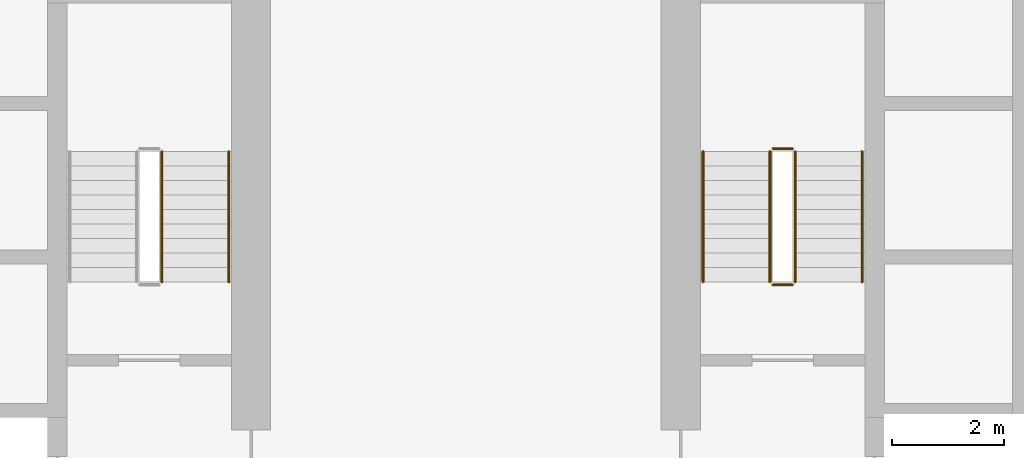
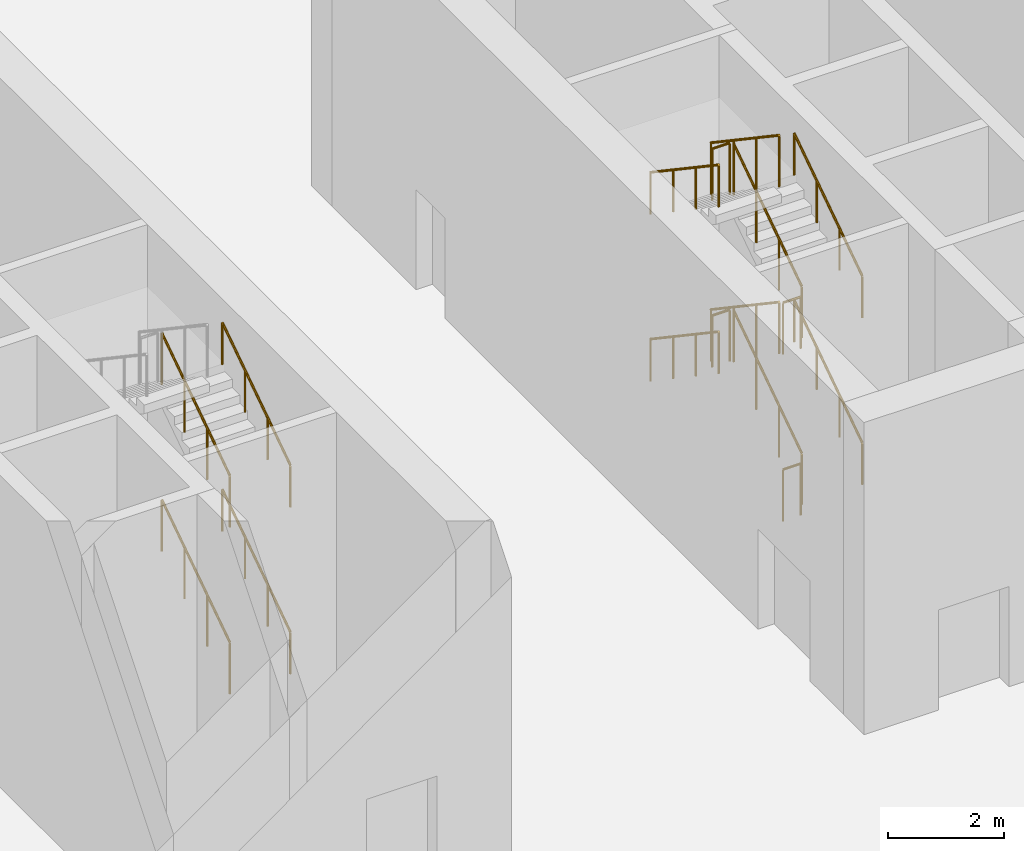
# One storey, part 20 of 30: 16 railings.
"""IFC4 building model written with IfcOpenShell, lengths in metres."""

import ifcopenshell
import ifcopenshell.guid

model = None  # the IFC model being written
_history = None  # IfcOwnerHistory: only IFC2X3 demands one
_inside = {}  # id of a spatial element -> (the spatial element, [elements in it])
_under = {}  # id of a project, library or spatial element -> (it, [spatial elements below it])
_declared = {}  # id of a project -> (the project, [libraries it declares])
_typed = {}  # id of a type object -> (the type object, [elements of that type])
_made_of = {}  # id of a material, layer set ... -> (it, [elements and type objects made of it])


def new_model(schema):
    """Start an empty IFC model of exactly this schema.

    Asked for "IFC4X3", IfcOpenShell would pick the latest addendum, in which some entities
    have other attributes; the version numbers below select the first issue.
    IFC2X3 requires an IfcOwnerHistory on every rooted entity: one is made here for all.
    """
    global model, _history
    if schema == "IFC4X3":
        model = ifcopenshell.file(schema_version=(4, 3, 0, 0))
    else:
        model = ifcopenshell.file(schema=schema)
    _inside.clear()
    _under.clear()
    _declared.clear()
    _typed.clear()
    _made_of.clear()
    _history = None
    if model.schema == "IFC2X3":
        org = make("IfcOrganization", Name="unknown")
        user = make(
            "IfcPersonAndOrganization",
            ThePerson=make("IfcPerson", FamilyName="unknown"),
            TheOrganization=org,
        )
        app = make(
            "IfcApplication",
            ApplicationDeveloper=org,
            Version="unknown",
            ApplicationFullName="unknown",
            ApplicationIdentifier="unknown",
        )
        _history = make(
            "IfcOwnerHistory",
            OwningUser=user,
            OwningApplication=app,
            ChangeAction="ADDED",
            CreationDate=0,
        )
    return model


def make(cls, **values):
    """One entity of the class cls with the attributes given. An attribute that is None is left unset."""
    return model.create_entity(
        cls, **{name: value for name, value in values.items() if value is not None}
    )


def rooted(cls, **values):
    """An entity with a GlobalId (a new one), such as an element, a storey or a relation."""
    return make(cls, GlobalId=ifcopenshell.guid.new(), OwnerHistory=_history, **values)


def si_unit(unit_type, name, prefix=None):
    """IfcSIUnit, for example si_unit("LENGTHUNIT", "METRE", prefix="MILLI")."""
    return make("IfcSIUnit", UnitType=unit_type, Prefix=prefix, Name=name)


def assignment(units):
    """IfcUnitAssignment: the units of a project."""
    return None if units is None else make("IfcUnitAssignment", Units=units)


def point(xyz):
    """IfcCartesianPoint."""
    return None if xyz is None else make("IfcCartesianPoint", Coordinates=xyz)


def direction(xyz):
    """IfcDirection."""
    return None if xyz is None else make("IfcDirection", DirectionRatios=xyz)


def frame(location, z_axis=None, x_axis=None):
    """IfcAxis2Placement3D, a coordinate frame: its origin and axes. An axis left out is left unset."""
    return make(
        "IfcAxis2Placement3D",
        Location=point(location),
        Axis=direction(z_axis),
        RefDirection=direction(x_axis),
    )


def frame_2d(location, x_axis=None):
    """IfcAxis2Placement2D, a coordinate frame in the plane: its origin and x axis."""
    return make(
        "IfcAxis2Placement2D", Location=point(location), RefDirection=direction(x_axis)
    )


def origin():
    """The frame at (0, 0, 0) with its axes left unset."""
    return frame((0.0, 0.0, 0.0))


def origin_2d():
    """The frame at (0, 0) in the plane with its x axis left unset."""
    return frame_2d((0.0, 0.0))


def place(relative_to, where):
    """IfcLocalPlacement: puts the frame where relative to a parent placement (None: the world)."""
    return make(
        "IfcLocalPlacement", PlacementRelTo=relative_to, RelativePlacement=where
    )


def context(
    kind, dimensions, precision=None, world=None, true_north=None, identifier=None
):
    """IfcGeometricRepresentationContext, for example the 3D "Model" context."""
    return make(
        "IfcGeometricRepresentationContext",
        ContextIdentifier=identifier,
        ContextType=kind,
        CoordinateSpaceDimension=dimensions,
        Precision=precision,
        WorldCoordinateSystem=world,
        TrueNorth=true_north,
    )


def subcontext(parent, identifier, kind, view, scale=None):
    """IfcGeometricRepresentationSubContext, for example "Body" below "Model"."""
    return make(
        "IfcGeometricRepresentationSubContext",
        ContextIdentifier=identifier,
        ContextType=kind,
        ParentContext=parent,
        TargetScale=scale,
        TargetView=view,
    )


def project(units=None, contexts=None):
    """IfcProject with its units and contexts."""
    return rooted(
        "IfcProject",
        Name="project",
        RepresentationContexts=contexts,
        UnitsInContext=assignment(units),
    )


def spatial(cls, under=None, at=None, **own):
    """A site, building, storey or space (cls), placed at a placement, below another one or the project."""
    s = rooted(cls, ObjectPlacement=at, **own)
    if under is not None:
        _under.setdefault(under.id(), (under, []))[1].append(s)
    return s


def profile(cls, at=None, kind="AREA", **sizes):
    """A parametric profile (cls). Its sizes go by their IFC names, for example OverallWidth=200.0."""
    return make(cls, ProfileType=kind, Position=at, **sizes)


def circle(**sizes):
    """IfcCircleProfileDef."""
    return profile("IfcCircleProfileDef", **sizes)


def extrude(swept, where, along, depth):
    """IfcExtrudedAreaSolid: the profile swept, set in the frame where, extruded along a direction by depth."""
    return make(
        "IfcExtrudedAreaSolid",
        SweptArea=swept,
        Position=where,
        ExtrudedDirection=direction(along),
        Depth=depth,
    )


def shape(context_of_items, identifier, shape_type, items):
    """IfcShapeRepresentation: the items that make up one representation, for example the "Body"."""
    return make(
        "IfcShapeRepresentation",
        ContextOfItems=context_of_items,
        RepresentationIdentifier=identifier,
        RepresentationType=shape_type,
        Items=items,
    )


def material(Name=None, Category=None):
    """IfcMaterial."""
    return make("IfcMaterial", Name=Name, Category=Category)


def made_of(thing, what):
    """Note that an element or type object is made of a material, layer set ...; save() writes the relation."""
    if what is not None:
        _made_of.setdefault(what.id(), (what, []))[1].append(thing)
    return thing


def type_object(cls, material=None, **own):
    """A type object (cls), such as IfcWallType, which elements share."""
    return made_of(rooted(cls, **own), material)


def element(
    cls,
    number,
    at=None,
    inside=None,
    cuts=None,
    type_object=None,
    material=None,
    context=None,
    identifier="Body",
    shape_type=None,
    held_by="IfcProductDefinitionShape",
    body=None,
    shapes=None,
    **own,
):
    """One element of the class cls, such as IfcWall. Its Tag is "e" and its number.

    at: its placement. inside: the storey or other place that contains it. cuts: it is an
    opening in that element (IfcRelVoidsElement). A single representation is given by context,
    identifier, shape_type and body (its items); several are given by shapes. held_by: the class
    of the entity that holds the representations. save() writes the other relations.
    """
    e = rooted(cls, Tag="e%d" % number, ObjectPlacement=at, **own)
    if body is not None:
        shapes = [shape(context, identifier, shape_type, body)]
    if shapes is not None:
        e.Representation = make(held_by, Representations=shapes)
    if inside is not None:
        _inside.setdefault(inside.id(), (inside, []))[1].append(e)
    if cuts is not None:
        rooted(
            "IfcRelVoidsElement", RelatingBuildingElement=cuts, RelatedOpeningElement=e
        )
    if type_object is not None:
        _typed.setdefault(type_object.id(), (type_object, []))[1].append(e)
    return made_of(e, material)


def aggregate(whole, parts):
    """IfcRelAggregates: a whole, such as a stair, and the parts it consists of."""
    return rooted("IfcRelAggregates", RelatingObject=whole, RelatedObjects=parts)


def save(model, path):
    """Write the relations noted so far, then the file.

    IfcRelAggregates (storeys below a building ...), IfcRelContainedInSpatialStructure (elements
    in a storey), IfcRelDefinesByType, IfcRelAssociatesMaterial and IfcRelDeclares: one each for
    every whole, place, type object, material and project.
    """
    for whole, parts in _under.values():
        aggregate(whole, parts)
    for where, things in _inside.values():
        rooted(
            "IfcRelContainedInSpatialStructure",
            RelatedElements=things,
            RelatingStructure=where,
        )
    for kind, things in _typed.values():
        rooted("IfcRelDefinesByType", RelatedObjects=things, RelatingType=kind)
    for what, things in _made_of.values():
        rooted("IfcRelAssociatesMaterial", RelatedObjects=things, RelatingMaterial=what)
    for by, libraries in _declared.values():
        rooted("IfcRelDeclares", RelatingContext=by, RelatedDefinitions=libraries)
    model.write(path)


model = new_model("IFC4")

# Units and contexts
model_context = context("Model", 3, precision=1e-05, world=origin(), true_north=direction((0.0, 1.0)))
body_context = subcontext(model_context, "Body", "Model", "MODEL_VIEW")
ifc_project = project(units=[si_unit("LENGTHUNIT", "METRE"), si_unit("AREAUNIT", "SQUARE_METRE"), si_unit("VOLUMEUNIT", "CUBIC_METRE"), si_unit("PLANEANGLEUNIT", "RADIAN"), si_unit("MASSUNIT", "GRAM", prefix="KILO")], contexts=[model_context])

# Site, building, storey
site_placement = place(None, origin())
site = spatial("IfcSite", under=ifc_project, at=site_placement, CompositionType="ELEMENT")
building_placement = place(site_placement, origin())
building = spatial("IfcBuilding", under=site, at=building_placement, Name="Tamarind Cross Interchange Tower", CompositionType="ELEMENT")
storey_placement = place(building_placement, frame((0.0, 0.0, -14.0)))
storey = spatial("IfcBuildingStorey", under=building, at=storey_placement, Name="B2", CompositionType="ELEMENT", Elevation=-14.0)

# Railings
ifc_material_1 = material(Name="Stair guard")
railing_type_1 = type_object("IfcRailingType", Name="Stair guard", PredefinedType="GUARDRAIL", material=ifc_material_1)
for number, where, name in (
    (1, (-5.449951171875, -3.199951171875, 0.175048828125), "B2 ST1 stair guard 1"),
    (2, (-5.449951171875, -3.199951171875, 3.675048828125), "B2 ST1 stair guard 5"),
    (3, (5.89990234375, -3.199951171875, 0.175048828125), "B2 ST2 stair guard 1"),
):
    element("IfcRailing", number, at=place(storey_placement, frame(where)), inside=storey, type_object=railing_type_1, Name=name, PredefinedType="GUARDRAIL", context=body_context, shape_type="SweptSolid", body=[
        extrude(circle(Radius=0.02392578125, at=origin_2d()), frame((0.0, 0.0, 1.076171875), z_axis=(0.0, 0.829578494604, 0.558390115681), x_axis=(-1.0, 0.0, 0.0)), (0.0, 0.0, 1.0), 2.820556640625),
        extrude(circle(Radius=0.02099609375, at=origin_2d()), origin(), (0.0, 0.0, 1.0), 1.052001953125),
        extrude(circle(Radius=0.02099609375, at=origin_2d()), frame((0.0, 0.780029296875, 0.52490234375)), (0.0, 0.0, 1.0), 1.052001953125),
        extrude(circle(Radius=0.02099609375, at=origin_2d()), frame((0.0, 1.559814453125, 1.050048828125)), (0.0, 0.0, 1.0), 1.052001953125),
        extrude(circle(Radius=0.02099609375, at=origin_2d()), frame((0.0, 2.33984375, 1.574951171875)), (0.0, 0.0, 1.0), 1.052001953125),
    ])
railing_1_placement = place(storey_placement, frame((5.85009765625, -0.81005859375, 1.75)))
element("IfcRailing", 4, at=railing_1_placement, inside=storey, type_object=railing_type_1, Name="B2 ST2 stair guard 2", PredefinedType="GUARDRAIL", context=body_context, shape_type="SweptSolid", body=[
    extrude(circle(Radius=0.02392578125, at=origin_2d()), frame((0.0, 0.0, 1.076171875), z_axis=(-1.0, 0.0, 0.0), x_axis=(0.0, -1.0, 0.0)), (0.0, 0.0, 1.0), 0.35009765625),
    extrude(circle(Radius=0.02099609375, at=origin_2d()), origin(), (0.0, 0.0, 1.0), 1.052001953125),
    extrude(circle(Radius=0.02099609375, at=origin_2d()), frame((-0.35009765625, 0.0, 0.0)), (0.0, 0.0, 1.0), 1.052001953125),
])
railing_2_placement = place(storey_placement, frame((5.449951171875, -0.860107421875, 1.925048828125)))
element("IfcRailing", 5, at=railing_2_placement, inside=storey, type_object=railing_type_1, Name="B2 ST2 stair guard 3", PredefinedType="GUARDRAIL", context=body_context, shape_type="SweptSolid", body=[
    extrude(circle(Radius=0.02392578125, at=origin_2d()), frame((0.0, 0.0, 1.076171875), z_axis=(0.0, -0.829578494604, 0.558390115681), x_axis=(1.0, 0.0, 0.0)), (0.0, 0.0, 1.0), 2.820556640625),
    extrude(circle(Radius=0.02099609375, at=origin_2d()), origin(), (0.0, 0.0, 1.0), 1.052001953125),
    extrude(circle(Radius=0.02099609375, at=origin_2d()), frame((0.0, -0.780029296875, 0.52490234375)), (0.0, 0.0, 1.0), 1.052001953125),
    extrude(circle(Radius=0.02099609375, at=origin_2d()), frame((0.0, -1.559814453125, 1.050048828125)), (0.0, 0.0, 1.0), 1.052001953125),
    extrude(circle(Radius=0.02099609375, at=origin_2d()), frame((0.0, -2.33984375, 1.574951171875)), (0.0, 0.0, 1.0), 1.052001953125),
])
railing_3_placement = place(storey_placement, frame((5.85009765625, -3.25, 3.5)))
element("IfcRailing", 6, at=railing_3_placement, inside=storey, type_object=railing_type_1, Name="B2 ST2 stair guard 4", PredefinedType="GUARDRAIL", context=body_context, shape_type="SweptSolid", body=[
    extrude(circle(Radius=0.02392578125, at=origin_2d()), frame((0.0, 0.0, 1.076171875), z_axis=(-1.0, 0.0, 0.0), x_axis=(0.0, -1.0, 0.0)), (0.0, 0.0, 1.0), 0.35009765625),
    extrude(circle(Radius=0.02099609375, at=origin_2d()), origin(), (0.0, 0.0, 1.0), 1.052001953125),
    extrude(circle(Radius=0.02099609375, at=origin_2d()), frame((-0.35009765625, 0.0, 0.0)), (0.0, 0.0, 1.0), 1.052001953125),
])
railing_4_placement = place(storey_placement, frame((5.89990234375, -3.199951171875, 3.675048828125)))
element("IfcRailing", 7, at=railing_4_placement, inside=storey, type_object=railing_type_1, Name="B2 ST2 stair guard 5", PredefinedType="GUARDRAIL", context=body_context, shape_type="SweptSolid", body=[
    extrude(circle(Radius=0.02392578125, at=origin_2d()), frame((0.0, 0.0, 1.076171875), z_axis=(0.0, 0.829578494604, 0.558390115681), x_axis=(-1.0, 0.0, 0.0)), (0.0, 0.0, 1.0), 2.820556640625),
    extrude(circle(Radius=0.02099609375, at=origin_2d()), origin(), (0.0, 0.0, 1.0), 1.052001953125),
    extrude(circle(Radius=0.02099609375, at=origin_2d()), frame((0.0, 0.780029296875, 0.52490234375)), (0.0, 0.0, 1.0), 1.052001953125),
    extrude(circle(Radius=0.02099609375, at=origin_2d()), frame((0.0, 1.559814453125, 1.050048828125)), (0.0, 0.0, 1.0), 1.052001953125),
    extrude(circle(Radius=0.02099609375, at=origin_2d()), frame((0.0, 2.33984375, 1.574951171875)), (0.0, 0.0, 1.0), 1.052001953125),
])
railing_5_placement = place(storey_placement, frame((5.85009765625, -0.81005859375, 5.25)))
element("IfcRailing", 8, at=railing_5_placement, inside=storey, type_object=railing_type_1, Name="B2 ST2 stair guard 6", PredefinedType="GUARDRAIL", context=body_context, shape_type="SweptSolid", body=[
    extrude(circle(Radius=0.02392578125, at=origin_2d()), frame((0.0, 0.0, 1.076171875), z_axis=(-1.0, 0.0, 0.0), x_axis=(0.0, -1.0, 0.0)), (0.0, 0.0, 1.0), 0.35009765625),
    extrude(circle(Radius=0.02099609375, at=origin_2d()), origin(), (0.0, 0.0, 1.0), 1.052001953125),
    extrude(circle(Radius=0.02099609375, at=origin_2d()), frame((-0.35009765625, 0.0, 0.0)), (0.0, 0.0, 1.0), 1.052001953125),
])
railing_6_placement = place(storey_placement, frame((5.449951171875, -0.860107421875, 5.425048828125)))
element("IfcRailing", 9, at=railing_6_placement, inside=storey, type_object=railing_type_1, Name="B2 ST2 stair guard 7", PredefinedType="GUARDRAIL", context=body_context, shape_type="SweptSolid", body=[
    extrude(circle(Radius=0.02392578125, at=origin_2d()), frame((0.0, 0.0, 1.076171875), z_axis=(0.0, -0.829578494604, 0.558390115681), x_axis=(1.0, 0.0, 0.0)), (0.0, 0.0, 1.0), 2.820556640625),
    extrude(circle(Radius=0.02099609375, at=origin_2d()), origin(), (0.0, 0.0, 1.0), 1.052001953125),
    extrude(circle(Radius=0.02099609375, at=origin_2d()), frame((0.0, -0.780029296875, 0.52490234375)), (0.0, 0.0, 1.0), 1.052001953125),
    extrude(circle(Radius=0.02099609375, at=origin_2d()), frame((0.0, -1.559814453125, 1.050048828125)), (0.0, 0.0, 1.0), 1.052001953125),
    extrude(circle(Radius=0.02099609375, at=origin_2d()), frame((0.0, -2.33984375, 1.574951171875)), (0.0, 0.0, 1.0), 1.052001953125),
])
railing_7_placement = place(storey_placement, frame((5.85009765625, -3.25, 0.0)))
element("IfcRailing", 10, at=railing_7_placement, inside=storey, type_object=railing_type_1, Name="B2 ST2 stair guard 8", PredefinedType="GUARDRAIL", context=body_context, shape_type="SweptSolid", body=[
    extrude(circle(Radius=0.02392578125, at=origin_2d()), frame((0.0, 0.0, 1.076171875), z_axis=(-1.0, 0.0, 0.0), x_axis=(0.0, -1.0, 0.0)), (0.0, 0.0, 1.0), 0.35009765625),
    extrude(circle(Radius=0.02099609375, at=origin_2d()), origin(), (0.0, 0.0, 1.0), 1.052001953125),
    extrude(circle(Radius=0.02099609375, at=origin_2d()), frame((-0.35009765625, 0.0, 0.0)), (0.0, 0.0, 1.0), 1.052001953125),
])
ifc_material_2 = material(Name="Stair handrail")
railing_type_2 = type_object("IfcRailingType", Name="Stair handrail", PredefinedType="HANDRAIL", material=ifc_material_2)
for number, where, name in (
    (11, (-4.25, -3.199951171875, 0.175048828125), "B2 ST1 stair handrail 1"),
    (12, (-4.25, -3.199951171875, 3.675048828125), "B2 ST1 stair handrail 3"),
    (13, (7.10009765625, -3.199951171875, 0.175048828125), "B2 ST2 stair handrail 1"),
):
    element("IfcRailing", number, at=place(storey_placement, frame(where)), inside=storey, type_object=railing_type_2, Name=name, PredefinedType="HANDRAIL", context=body_context, shape_type="SweptSolid", body=[
        extrude(circle(Radius=0.02392578125, at=origin_2d()), frame((0.0, 0.0, 0.8759765625), z_axis=(0.0, 0.829578494604, 0.558390115681), x_axis=(-1.0, 0.0, 0.0)), (0.0, 0.0, 1.0), 2.820556640625),
        extrude(circle(Radius=0.02099609375, at=origin_2d()), origin(), (0.0, 0.0, 1.0), 0.851806640625),
        extrude(circle(Radius=0.02099609375, at=origin_2d()), frame((0.0, 0.780029296875, 0.52490234375)), (0.0, 0.0, 1.0), 0.851806640625),
        extrude(circle(Radius=0.02099609375, at=origin_2d()), frame((0.0, 1.559814453125, 1.050048828125)), (0.0, 0.0, 1.0), 0.851806640625),
        extrude(circle(Radius=0.02099609375, at=origin_2d()), frame((0.0, 2.33984375, 1.574951171875)), (0.0, 0.0, 1.0), 0.851806640625),
    ])
railing_8_placement = place(storey_placement, frame((4.25, -0.860107421875, 1.925048828125)))
element("IfcRailing", 14, at=railing_8_placement, inside=storey, type_object=railing_type_2, Name="B2 ST2 stair handrail 2", PredefinedType="HANDRAIL", context=body_context, shape_type="SweptSolid", body=[
    extrude(circle(Radius=0.02392578125, at=origin_2d()), frame((0.0, 0.0, 0.8759765625), z_axis=(0.0, -0.829578494604, 0.558390115681), x_axis=(1.0, 0.0, 0.0)), (0.0, 0.0, 1.0), 2.820556640625),
    extrude(circle(Radius=0.02099609375, at=origin_2d()), origin(), (0.0, 0.0, 1.0), 0.851806640625),
    extrude(circle(Radius=0.02099609375, at=origin_2d()), frame((0.0, -0.780029296875, 0.52490234375)), (0.0, 0.0, 1.0), 0.851806640625),
    extrude(circle(Radius=0.02099609375, at=origin_2d()), frame((0.0, -1.559814453125, 1.050048828125)), (0.0, 0.0, 1.0), 0.851806640625),
    extrude(circle(Radius=0.02099609375, at=origin_2d()), frame((0.0, -2.33984375, 1.574951171875)), (0.0, 0.0, 1.0), 0.851806640625),
])
railing_9_placement = place(storey_placement, frame((7.10009765625, -3.199951171875, 3.675048828125)))
element("IfcRailing", 15, at=railing_9_placement, inside=storey, type_object=railing_type_2, Name="B2 ST2 stair handrail 3", PredefinedType="HANDRAIL", context=body_context, shape_type="SweptSolid", body=[
    extrude(circle(Radius=0.02392578125, at=origin_2d()), frame((0.0, 0.0, 0.8759765625), z_axis=(0.0, 0.829578494604, 0.558390115681), x_axis=(-1.0, 0.0, 0.0)), (0.0, 0.0, 1.0), 2.820556640625),
    extrude(circle(Radius=0.02099609375, at=origin_2d()), origin(), (0.0, 0.0, 1.0), 0.851806640625),
    extrude(circle(Radius=0.02099609375, at=origin_2d()), frame((0.0, 0.780029296875, 0.52490234375)), (0.0, 0.0, 1.0), 0.851806640625),
    extrude(circle(Radius=0.02099609375, at=origin_2d()), frame((0.0, 1.559814453125, 1.050048828125)), (0.0, 0.0, 1.0), 0.851806640625),
    extrude(circle(Radius=0.02099609375, at=origin_2d()), frame((0.0, 2.33984375, 1.574951171875)), (0.0, 0.0, 1.0), 0.851806640625),
])
railing_10_placement = place(storey_placement, frame((4.25, -0.860107421875, 5.425048828125)))
element("IfcRailing", 16, at=railing_10_placement, inside=storey, type_object=railing_type_2, Name="B2 ST2 stair handrail 4", PredefinedType="HANDRAIL", context=body_context, shape_type="SweptSolid", body=[
    extrude(circle(Radius=0.02392578125, at=origin_2d()), frame((0.0, 0.0, 0.8759765625), z_axis=(0.0, -0.829578494604, 0.558390115681), x_axis=(1.0, 0.0, 0.0)), (0.0, 0.0, 1.0), 2.820556640625),
    extrude(circle(Radius=0.02099609375, at=origin_2d()), origin(), (0.0, 0.0, 1.0), 0.851806640625),
    extrude(circle(Radius=0.02099609375, at=origin_2d()), frame((0.0, -0.780029296875, 0.52490234375)), (0.0, 0.0, 1.0), 0.851806640625),
    extrude(circle(Radius=0.02099609375, at=origin_2d()), frame((0.0, -1.559814453125, 1.050048828125)), (0.0, 0.0, 1.0), 0.851806640625),
    extrude(circle(Radius=0.02099609375, at=origin_2d()), frame((0.0, -2.33984375, 1.574951171875)), (0.0, 0.0, 1.0), 0.851806640625),
])

save(model, "model.ifc")
